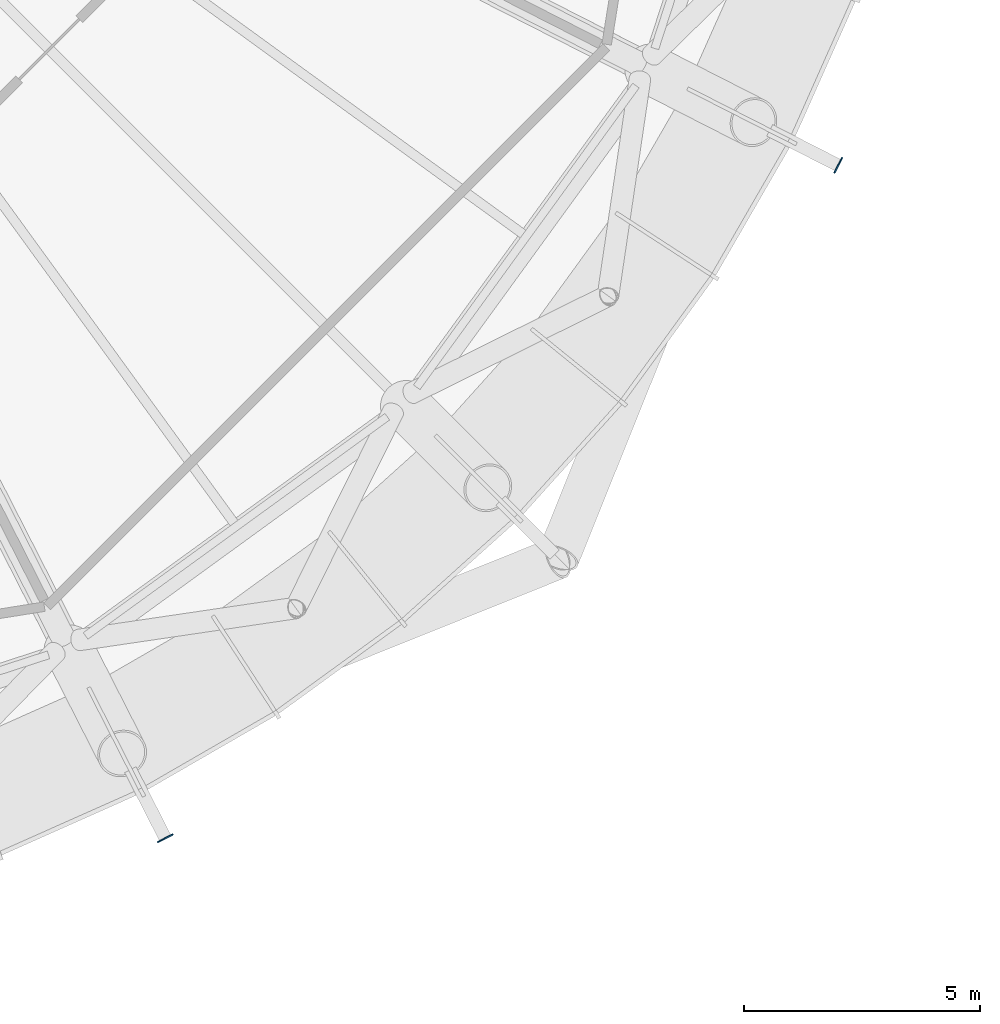
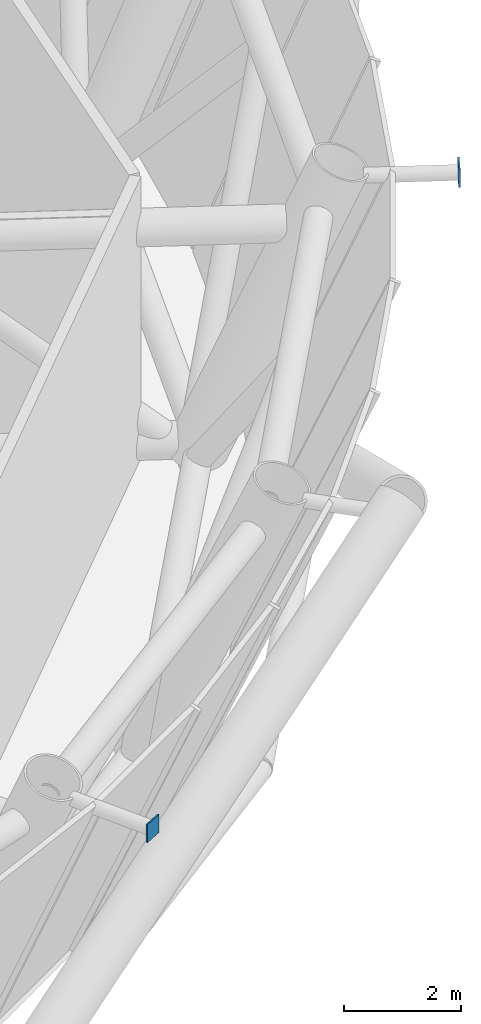
# One storey, part 15 of 20: 2 discrete accessories.
"""IFC4 building model written with IfcOpenShell, lengths in metres."""

from ifc_helpers import new_model, si_unit, direction, frame, origin, origin_2d, place, context, subcontext, project, spatial, rectangle, extrude, material, element, save


model = new_model("IFC4")

# Units and contexts
model_context = context("Model", 3, precision=1e-05, world=origin(), true_north=direction((0.0, 1.0)))
body_context = subcontext(model_context, "Body", "Model", "MODEL_VIEW")
ifc_project = project(units=[si_unit("LENGTHUNIT", "METRE"), si_unit("AREAUNIT", "SQUARE_METRE"), si_unit("VOLUMEUNIT", "CUBIC_METRE"), si_unit("PLANEANGLEUNIT", "RADIAN"), si_unit("MASSUNIT", "GRAM", prefix="KILO")], contexts=[model_context])

# Site, building, storey
site_placement = place(None, origin())
site = spatial("IfcSite", under=ifc_project, at=site_placement, CompositionType="ELEMENT")
building_placement = place(site_placement, origin())
building = spatial("IfcBuilding", under=site, at=building_placement, Name="Entoto Ring Tower", CompositionType="ELEMENT")
storey_placement = place(building_placement, frame((0.0, 0.0, 330.0)))
storey = spatial("IfcBuildingStorey", under=building, at=storey_placement, Name="L76", CompositionType="ELEMENT", Elevation=330.0)

# Discrete accessories
ifc_material = material(Name="Steel S355", Category="steel")
for number, where, z_axis, x_axis, name in (
    (1, (104.806884765625, 50.93994140625, 5.52685546875), (0.0, 0.0, 1.0), (0.45399049974, -0.891006524188, 0.0), "Node strut end plate DS2 ring 25 16"),
    (2, (119.06005859375, 65.193115234375, 5.52685546875), (0.0, 0.0, 1.0), (0.891006524188, -0.45399049974, 0.0), "Node strut end plate DS2 ring 25 18"),
):
    element("IfcDiscreteAccessory", number, at=place(storey_placement, frame(where, z_axis=z_axis, x_axis=x_axis)), inside=storey, material=ifc_material, Name=name, PredefinedType="BRACKET", context=body_context, shape_type="SweptSolid", body=[
        extrude(rectangle(XDim=0.030029296875, YDim=0.373046875, at=origin_2d()), origin(), (0.0, 0.0, 1.0), 0.373046875),
    ])

save(model, "model.ifc")
